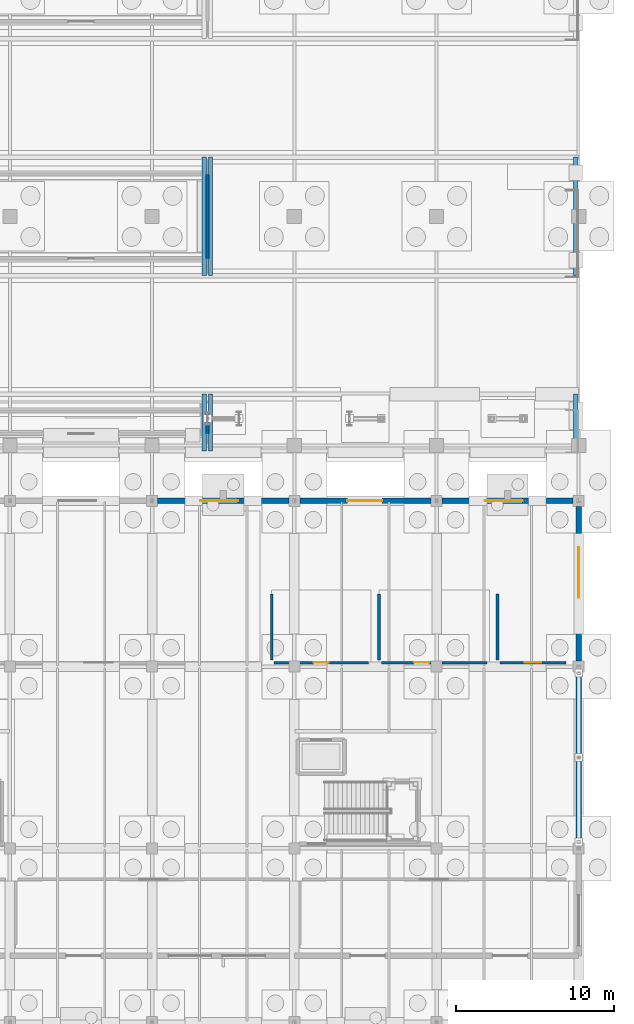
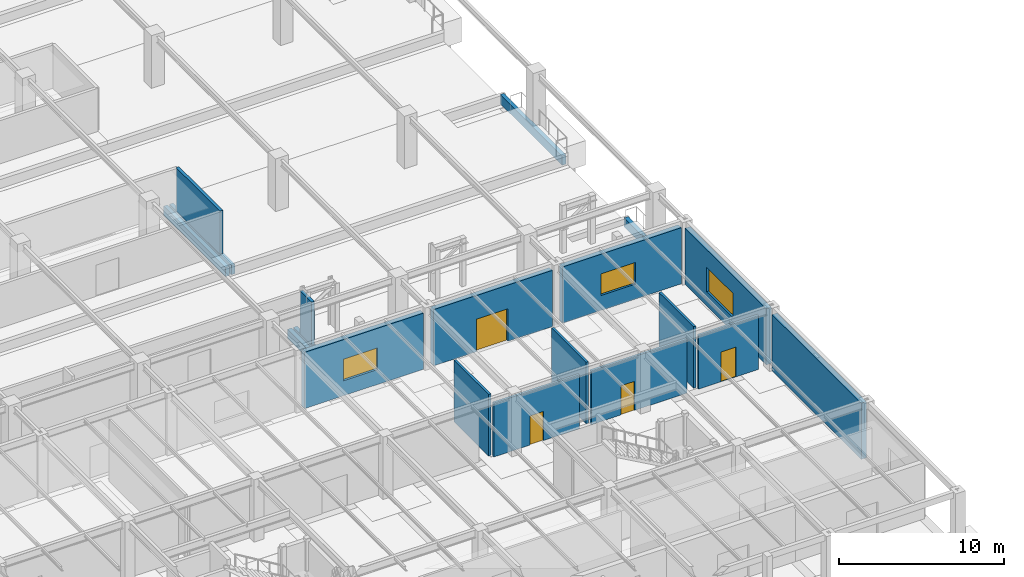
# One storey, part 110 of 160: 19 walls, 4 doors, 3 windows, 7 openings.
"""IFC4 building model written with IfcOpenShell, lengths in metres."""

from ifc_helpers import new_model, si_unit, direction, frame, frame_2d, origin, place, context, subcontext, project, spatial, rectangle, extrude, material, layer, layer_set, type_object, element, fill, save


model = new_model("IFC4")

# Units and contexts
model_context = context("Model", 3, precision=1e-05, world=origin(), true_north=direction((0.0, 1.0)))
body_context = subcontext(model_context, "Body", "Model", "MODEL_VIEW")
ifc_project = project(units=[si_unit("LENGTHUNIT", "METRE"), si_unit("AREAUNIT", "SQUARE_METRE"), si_unit("VOLUMEUNIT", "CUBIC_METRE"), si_unit("PLANEANGLEUNIT", "RADIAN"), si_unit("MASSUNIT", "GRAM", prefix="KILO")], contexts=[model_context])

# Site, building, storey
site_placement = place(None, origin())
site = spatial("IfcSite", under=ifc_project, at=site_placement, CompositionType="ELEMENT")
building_placement = place(site_placement, origin())
building = spatial("IfcBuilding", under=site, at=building_placement, Name="Marlcrest Central Station", CompositionType="ELEMENT")
storey_placement = place(building_placement, origin())
storey = spatial("IfcBuildingStorey", under=building, at=storey_placement, Name="L00", CompositionType="ELEMENT", Elevation=0.0)

# Wall, opening, window
ifc_material_1 = material(Name="St. Thomas limestone on Concrete C40/50", Category="masonry")
ifc_layer_1 = layer(ifc_material_1, 0.360107421875, Name="EW-06")
ifc_layer_set_1 = layer_set([ifc_layer_1], Name="St. Thomas limestone on Concrete C40/50")
wall_type_1 = type_object("IfcWallType", Name="EW-06", PredefinedType="SOLIDWALL", material=ifc_layer_set_1)
wall_1_placement = place(storey_placement, frame((189.35009765625, 33.0, 0.0), z_axis=(0.0, 0.0, 1.0), x_axis=(1.0, 0.0, 0.0)))
wall_1 = element("IfcWall", 1, at=wall_1_placement, inside=storey, type_object=wall_type_1, Name="ewall-L00-0048", PredefinedType="SOLIDWALL", context=body_context, shape_type="SweptSolid", body=[
    extrude(rectangle(XDim=8.2998046875, YDim=0.360107421875, at=frame_2d((4.14990234375, 0.0))), origin(), (0.0, 0.0, 1.0), 4.14990234375),
])
opening_1_placement = place(wall_1_placement, frame((2.699951171875, 0.0, 1.10009765625)))
opening_1 = element("IfcOpeningElement", 2, at=opening_1_placement, cuts=wall_1, Name="Opening WN-02", PredefinedType="OPENING", context=body_context, shape_type="SweptSolid", body=[
    extrude(rectangle(XDim=2.39990234375, YDim=1.60009765625, at=frame_2d((1.199951171875, 0.800048828125))), frame((0.0, 0.18994140625, 0.0), z_axis=(0.0, -1.0, 0.0), x_axis=(1.0, 0.0, 0.0)), (0.0, 0.0, 1.0), 0.380126953125),
])
ifc_material_2 = material(Name="Thermally broken bronze-anodised aluminium and laminated low-E glass", Category="aluminium")
window_type_1 = type_object("IfcWindowType", Name="WN-02", PartitioningType="SINGLE_PANEL", PredefinedType="WINDOW", material=ifc_material_2)
window_1_placement = place(opening_1_placement, origin())
window_1 = element("IfcWindow", 3, at=window_1_placement, inside=storey, type_object=window_type_1, Name="ewin-L00-0017", OverallHeight=1.60009765625, OverallWidth=2.39990234375, PartitioningType="SINGLE_PANEL", PredefinedType="WINDOW", context=body_context, shape_type="SweptSolid", body=[
    extrude(rectangle(XDim=2.39990234375, YDim=1.60009765625, at=frame_2d((1.199951171875, 0.800048828125))), frame((0.0, 0.030029296875, 0.0), z_axis=(0.0, -1.0, 0.0), x_axis=(1.0, 0.0, 0.0)), (0.0, 0.0, 1.0), 0.06005859375),
])
fill(opening_1, window_1)

# Wall, opening, door
wall_2_placement = place(storey_placement, frame((198.35009765625, 33.0, 0.0), z_axis=(0.0, 0.0, 1.0), x_axis=(1.0, 0.0, 0.0)))
wall_2 = element("IfcWall", 4, at=wall_2_placement, inside=storey, type_object=wall_type_1, Name="ewall-L00-0050", PredefinedType="SOLIDWALL", context=body_context, shape_type="SweptSolid", body=[
    extrude(rectangle(XDim=8.2998046875, YDim=0.360107421875, at=frame_2d((4.14990234375, 0.0))), origin(), (0.0, 0.0, 1.0), 4.14990234375),
])
opening_2_placement = place(wall_2_placement, frame((3.0, 0.0, 0.0)))
opening_2 = element("IfcOpeningElement", 5, at=opening_2_placement, cuts=wall_2, Name="Opening ED-01", PredefinedType="OPENING", context=body_context, shape_type="SweptSolid", body=[
    extrude(rectangle(XDim=2.199951171875, YDim=2.39990234375, at=frame_2d((1.10009765625, 1.199951171875))), frame((0.0, 0.18994140625, 0.0), z_axis=(0.0, -1.0, 0.0), x_axis=(1.0, 0.0, 0.0)), (0.0, 0.0, 1.0), 0.380126953125),
])
ifc_material_3 = material(Name="Thermally broken anodised aluminium and laminated safety glass", Category="aluminium")
door_type_1 = type_object("IfcDoorType", Name="ED-01", OperationType="DOUBLE_DOOR_SINGLE_SWING", PredefinedType="DOOR", material=ifc_material_3)
door_1_placement = place(opening_2_placement, origin())
door_1 = element("IfcDoor", 6, at=door_1_placement, inside=storey, type_object=door_type_1, Name="Retail Wing Stair Discharge Exit Door 026", OperationType="DOUBLE_DOOR_SINGLE_SWING", OverallHeight=2.39990234375, OverallWidth=2.199951171875, PredefinedType="DOOR", context=body_context, shape_type="SweptSolid", body=[
    extrude(rectangle(XDim=2.199951171875, YDim=2.39990234375, at=frame_2d((1.10009765625, 1.199951171875))), frame((0.0, 0.02490234375, 0.0), z_axis=(0.0, -1.0, 0.0), x_axis=(1.0, 0.0, 0.0)), (0.0, 0.0, 1.0), 0.050048828125),
])
fill(opening_2, door_1)

# Wall, opening, window
wall_3_placement = place(storey_placement, frame((207.35009765625, 33.0, 0.0), z_axis=(0.0, 0.0, 1.0), x_axis=(1.0, 0.0, 0.0)))
wall_3 = element("IfcWall", 7, at=wall_3_placement, inside=storey, type_object=wall_type_1, Name="ewall-L00-0052", PredefinedType="SOLIDWALL", context=body_context, shape_type="SweptSolid", body=[
    extrude(rectangle(XDim=8.2998046875, YDim=0.360107421875, at=frame_2d((4.14990234375, 0.0))), origin(), (0.0, 0.0, 1.0), 4.14990234375),
])
opening_3_placement = place(wall_3_placement, frame((2.699951171875, 0.0, 1.10009765625)))
opening_3 = element("IfcOpeningElement", 8, at=opening_3_placement, cuts=wall_3, Name="Opening WN-02", PredefinedType="OPENING", context=body_context, shape_type="SweptSolid", body=[
    extrude(rectangle(XDim=2.39990234375, YDim=1.60009765625, at=frame_2d((1.199951171875, 0.800048828125))), frame((0.0, 0.18994140625, 0.0), z_axis=(0.0, -1.0, 0.0), x_axis=(1.0, 0.0, 0.0)), (0.0, 0.0, 1.0), 0.380126953125),
])
window_2_placement = place(opening_3_placement, origin())
window_2 = element("IfcWindow", 9, at=window_2_placement, inside=storey, type_object=window_type_1, Name="ewin-L00-0018", OverallHeight=1.60009765625, OverallWidth=2.39990234375, PartitioningType="SINGLE_PANEL", PredefinedType="WINDOW", context=body_context, shape_type="SweptSolid", body=[
    extrude(rectangle(XDim=2.39990234375, YDim=1.60009765625, at=frame_2d((1.199951171875, 0.800048828125))), frame((0.0, 0.030029296875, 0.0), z_axis=(0.0, -1.0, 0.0), x_axis=(1.0, 0.0, 0.0)), (0.0, 0.0, 1.0), 0.06005859375),
])
fill(opening_3, window_2)

# Wall
wall_4_placement = place(storey_placement, frame((216.0, 22.14990234375, 0.0), z_axis=(0.0, 0.0, 1.0), x_axis=(0.0, -1.0, 0.0)))
element("IfcWall", 10, at=wall_4_placement, inside=storey, type_object=wall_type_1, Name="ewall-L00-0056", PredefinedType="SOLIDWALL", context=body_context, shape_type="SweptSolid", body=[
    extrude(rectangle(XDim=10.7998046875, YDim=0.360107421875, at=frame_2d((5.39990234375, 0.0))), origin(), (0.0, 0.0, 1.0), 4.14990234375),
])

# Wall, opening, window
wall_5_placement = place(storey_placement, frame((216.0, 32.64990234375, 0.0), z_axis=(0.0, 0.0, 1.0), x_axis=(0.0, -1.0, 0.0)))
wall_5 = element("IfcWall", 11, at=wall_5_placement, inside=storey, type_object=wall_type_1, Name="ewall-L00-0058", PredefinedType="SOLIDWALL", context=body_context, shape_type="SweptSolid", body=[
    extrude(rectangle(XDim=9.7998046875, YDim=0.360107421875, at=frame_2d((4.89990234375, 0.0))), origin(), (0.0, 0.0, 1.0), 4.14990234375),
])
opening_4_placement = place(wall_5_placement, frame((2.60009765625, 0.0, 1.050048828125)))
opening_4 = element("IfcOpeningElement", 12, at=opening_4_placement, cuts=wall_5, Name="Opening WN-07", PredefinedType="OPENING", context=body_context, shape_type="SweptSolid", body=[
    extrude(rectangle(XDim=3.199951171875, YDim=1.800048828125, at=frame_2d((1.60009765625, 0.89990234375))), frame((0.0, 0.18994140625, 0.0), z_axis=(0.0, -1.0, 0.0), x_axis=(1.0, 0.0, 0.0)), (0.0, 0.0, 1.0), 0.380126953125),
])
window_type_2 = type_object("IfcWindowType", Name="WN-07", PartitioningType="SINGLE_PANEL", PredefinedType="WINDOW", material=ifc_material_2)
window_3_placement = place(opening_4_placement, origin())
window_3 = element("IfcWindow", 13, at=window_3_placement, inside=storey, type_object=window_type_2, Name="ewin-L00-0021", OverallHeight=1.800048828125, OverallWidth=3.199951171875, PartitioningType="SINGLE_PANEL", PredefinedType="WINDOW", context=body_context, shape_type="SweptSolid", body=[
    extrude(rectangle(XDim=3.199951171875, YDim=1.800048828125, at=frame_2d((1.60009765625, 0.89990234375))), frame((0.0, 0.030029296875, 0.0), z_axis=(0.0, -1.0, 0.0), x_axis=(1.0, 0.0, 0.0)), (0.0, 0.0, 1.0), 0.06005859375),
])
fill(opening_4, window_3)

# Walls
ifc_material_4 = material(Name="Concrete C35/45", Category="concrete")
ifc_layer_2 = layer(ifc_material_4, 0.2099609375, Name="EW-08")
ifc_layer_set_2 = layer_set([ifc_layer_2], Name="Concrete C35/45")
wall_type_2 = type_object("IfcWallType", Name="EW-08", PredefinedType="SOLIDWALL", material=ifc_layer_set_2)
wall_6_placement = place(storey_placement, frame((192.5, 38.64990234375, 0.9150390625), z_axis=(0.0, 0.0, 1.0), x_axis=(0.0, -1.0, 0.0)))
element("IfcWall", 14, at=wall_6_placement, inside=storey, type_object=wall_type_2, Name="ewall-L00-0220", PredefinedType="SOLIDWALL", context=body_context, shape_type="SweptSolid", body=[
    extrude(rectangle(XDim=1.39990234375, YDim=0.2099609375, at=frame_2d((0.699951171875, 0.0))), origin(), (0.0, 0.0, 1.0), 3.18505859375),
])
wall_7_placement = place(storey_placement, frame((192.5, 53.64990234375, 0.9150390625), z_axis=(0.0, 0.0, 1.0), x_axis=(0.0, -1.0, 0.0)))
element("IfcWall", 15, at=wall_7_placement, inside=storey, type_object=wall_type_2, Name="ewall-L00-0226", PredefinedType="SOLIDWALL", context=body_context, shape_type="SweptSolid", body=[
    extrude(rectangle(XDim=5.2998046875, YDim=0.2099609375, at=frame_2d((2.64990234375, 0.0))), origin(), (0.0, 0.0, 1.0), 3.18505859375),
])

# Wall, opening, door
ifc_material_5 = material(Name="Moisture-resistant tiled sanitary partition")
ifc_layer_3 = layer(ifc_material_5, 0.159912109375, Name="PT-03")
ifc_layer_set_3 = layer_set([ifc_layer_3], Name="Moisture-resistant tiled sanitary partition")
wall_type_3 = type_object("IfcWallType", Name="PT-03", PredefinedType="PARTITIONING", material=ifc_layer_set_3)
wall_8_placement = place(storey_placement, frame((202.68994140625, 22.760009765625, 0.0), z_axis=(0.0, 0.0, 1.0), x_axis=(-1.0, 0.0, 0.0)))
wall_8 = element("IfcWall", 16, at=wall_8_placement, inside=storey, type_object=wall_type_3, Name="iwall-L00-00046", PredefinedType="PARTITIONING", context=body_context, shape_type="SweptSolid", body=[
    extrude(rectangle(XDim=5.97998046875, YDim=0.159912109375, at=frame_2d((2.989990234375, 0.0))), origin(), (0.0, 0.0, 1.0), 3.97509765625),
])
opening_5_placement = place(wall_8_placement, frame((2.514892578125, 0.0, 0.0)))
opening_5 = element("IfcOpeningElement", 17, at=opening_5_placement, cuts=wall_8, Name="Opening ID-01", PredefinedType="OPENING", context=body_context, shape_type="SweptSolid", body=[
    extrude(rectangle(XDim=0.949951171875, YDim=2.14990234375, at=frame_2d((0.47509765625, 1.074951171875))), frame((0.0, 0.08984375, 0.0), z_axis=(0.0, -1.0, 0.0), x_axis=(1.0, 0.0, 0.0)), (0.0, 0.0, 1.0), 0.179931640625),
])
ifc_material_6 = material(Name="Solid-core hardwood acoustic door", Category="wood")
door_type_2 = type_object("IfcDoorType", Name="ID-01", OperationType="NOTDEFINED", PredefinedType="DOOR", material=ifc_material_6)
door_2_placement = place(opening_5_placement, origin())
door_2 = element("IfcDoor", 18, at=door_2_placement, inside=storey, type_object=door_type_2, Name="L00-WC-E1 0030", OperationType="SINGLE_SWING_LEFT", OverallHeight=2.14990234375, OverallWidth=0.949951171875, PredefinedType="DOOR", context=body_context, shape_type="SweptSolid", body=[
    extrude(rectangle(XDim=0.949951171875, YDim=2.14990234375, at=frame_2d((0.47509765625, 1.074951171875))), frame((0.0, 0.02490234375, 0.0), z_axis=(0.0, -1.0, 0.0), x_axis=(1.0, 0.0, 0.0)), (0.0, 0.0, 1.0), 0.050048828125),
])
fill(opening_5, door_2)

# Wall
wall_9_placement = place(storey_placement, frame((196.56005859375, 22.909912109375, 0.0), z_axis=(0.0, 0.0, 1.0), x_axis=(0.0, 1.0, 0.0)))
element("IfcWall", 19, at=wall_9_placement, inside=storey, type_object=wall_type_3, Name="iwall-L00-00047", PredefinedType="PARTITIONING", context=body_context, shape_type="SweptSolid", body=[
    extrude(rectangle(XDim=4.18017578125, YDim=0.159912109375, at=frame_2d((2.090087890625, 0.0))), origin(), (0.0, 0.0, 1.0), 4.550048828125),
])

# Wall, opening, door
wall_10_placement = place(storey_placement, frame((210.18994140625, 22.760009765625, 0.0), z_axis=(0.0, 0.0, 1.0), x_axis=(-1.0, 0.0, 0.0)))
wall_10 = element("IfcWall", 20, at=wall_10_placement, inside=storey, type_object=wall_type_3, Name="iwall-L00-00048", PredefinedType="PARTITIONING", context=body_context, shape_type="SweptSolid", body=[
    extrude(rectangle(XDim=6.679931640625, YDim=0.159912109375, at=frame_2d((3.33984375, 0.0))), origin(), (0.0, 0.0, 1.0), 3.97509765625),
])
opening_6_placement = place(wall_10_placement, frame((3.657958984375, 0.0, 0.0)))
opening_6 = element("IfcOpeningElement", 21, at=opening_6_placement, cuts=wall_10, Name="Opening ID-01", PredefinedType="OPENING", context=body_context, shape_type="SweptSolid", body=[
    extrude(rectangle(XDim=0.949951171875, YDim=2.14990234375, at=frame_2d((0.47509765625, 1.074951171875))), frame((0.0, 0.08984375, 0.0), z_axis=(0.0, -1.0, 0.0), x_axis=(1.0, 0.0, 0.0)), (0.0, 0.0, 1.0), 0.179931640625),
])
door_3_placement = place(opening_6_placement, origin())
door_3 = element("IfcDoor", 22, at=door_3_placement, inside=storey, type_object=door_type_2, Name="L00-WC-E2 0031", OperationType="SINGLE_SWING_RIGHT", OverallHeight=2.14990234375, OverallWidth=0.949951171875, PredefinedType="DOOR", context=body_context, shape_type="SweptSolid", body=[
    extrude(rectangle(XDim=0.949951171875, YDim=2.14990234375, at=frame_2d((0.47509765625, 1.074951171875))), frame((0.0, 0.02490234375, 0.0), z_axis=(0.0, -1.0, 0.0), x_axis=(1.0, 0.0, 0.0)), (0.0, 0.0, 1.0), 0.050048828125),
])
fill(opening_6, door_3)

# Wall
wall_11_placement = place(storey_placement, frame((203.360107421875, 22.909912109375, 0.0), z_axis=(0.0, 0.0, 1.0), x_axis=(0.0, 1.0, 0.0)))
element("IfcWall", 23, at=wall_11_placement, inside=storey, type_object=wall_type_3, Name="iwall-L00-00049", PredefinedType="PARTITIONING", context=body_context, shape_type="SweptSolid", body=[
    extrude(rectangle(XDim=4.18017578125, YDim=0.159912109375, at=frame_2d((2.090087890625, 0.0))), origin(), (0.0, 0.0, 1.0), 4.550048828125),
])

# Wall, opening, door
wall_12_placement = place(storey_placement, frame((215.18994140625, 22.760009765625, 0.0), z_axis=(0.0, 0.0, 1.0), x_axis=(-1.0, 0.0, 0.0)))
wall_12 = element("IfcWall", 24, at=wall_12_placement, inside=storey, type_object=wall_type_3, Name="iwall-L00-00050", PredefinedType="PARTITIONING", context=body_context, shape_type="SweptSolid", body=[
    extrude(rectangle(XDim=4.179931640625, YDim=0.159912109375, at=frame_2d((2.08984375, 0.0))), origin(), (0.0, 0.0, 1.0), 3.97509765625),
])
opening_7_placement = place(wall_12_placement, frame((1.56494140625, 0.0, 0.0)))
opening_7 = element("IfcOpeningElement", 25, at=opening_7_placement, cuts=wall_12, Name="Opening ID-03", PredefinedType="OPENING", context=body_context, shape_type="SweptSolid", body=[
    extrude(rectangle(XDim=1.050048828125, YDim=2.199951171875, at=frame_2d((0.52490234375, 1.10009765625))), frame((0.0, 0.08984375, 0.0), z_axis=(0.0, -1.0, 0.0), x_axis=(1.0, 0.0, 0.0)), (0.0, 0.0, 1.0), 0.179931640625),
])
ifc_material_7 = material(Name="Accessible sanitary outward-opening door")
door_type_3 = type_object("IfcDoorType", Name="ID-03", OperationType="NOTDEFINED", PredefinedType="DOOR", material=ifc_material_7)
door_4_placement = place(opening_7_placement, origin())
door_4 = element("IfcDoor", 26, at=door_4_placement, inside=storey, type_object=door_type_3, Name="L00-WC-EA 0032", OperationType="SINGLE_SWING_LEFT", OverallHeight=2.199951171875, OverallWidth=1.050048828125, PredefinedType="DOOR", context=body_context, shape_type="SweptSolid", body=[
    extrude(rectangle(XDim=1.050048828125, YDim=2.199951171875, at=frame_2d((0.52490234375, 1.10009765625))), frame((0.0, 0.02490234375, 0.0), z_axis=(0.0, -1.0, 0.0), x_axis=(1.0, 0.0, 0.0)), (0.0, 0.0, 1.0), 0.050048828125),
])
fill(opening_7, door_4)

# Walls
wall_13_placement = place(storey_placement, frame((210.860107421875, 22.909912109375, 0.0), z_axis=(0.0, 0.0, 1.0), x_axis=(0.0, 1.0, 0.0)))
element("IfcWall", 27, at=wall_13_placement, inside=storey, type_object=wall_type_3, Name="iwall-L00-00051", PredefinedType="PARTITIONING", context=body_context, shape_type="SweptSolid", body=[
    extrude(rectangle(XDim=4.18017578125, YDim=0.159912109375, at=frame_2d((2.090087890625, 0.0))), origin(), (0.0, 0.0, 1.0), 4.550048828125),
])
ifc_layer_4 = layer(ifc_material_4, 0.27490234375, Name="PW-01")
ifc_layer_set_4 = layer_set([ifc_layer_4], Name="Concrete C35/45")
wall_type_4 = type_object("IfcWallType", Name="PW-01", PredefinedType="SOLIDWALL", material=ifc_layer_set_4)
for number, where, z_axis, x_axis, name in (
    (28, (192.300048828125, 36.14990234375, 0.0), (0.0, 0.0, 1.0), (0.0, 1.0, 0.0), "swall-L00-0074"),
    (29, (192.699951171875, 36.14990234375, 0.0), (0.0, 0.0, 1.0), (0.0, 1.0, 0.0), "swall-L00-0075"),
    (30, (215.800048828125, 36.14990234375, 0.0), (0.0, 0.0, 1.0), (0.0, 1.0, 0.0), "swall-L00-0076"),
):
    element("IfcWall", number, at=place(storey_placement, frame(where, z_axis=z_axis, x_axis=x_axis)), inside=storey, type_object=wall_type_4, Name=name, PredefinedType="SOLIDWALL", context=body_context, shape_type="SweptSolid", body=[
        extrude(rectangle(XDim=3.60009765625, YDim=0.27490234375, at=frame_2d((1.800048828125, 0.0))), origin(), (0.0, 0.0, 1.0), 0.675048828125),
    ])
for number, where, z_axis, x_axis, name in (
    (31, (192.300048828125, 47.25, 0.0), (0.0, 0.0, 1.0), (0.0, 1.0, 0.0), "swall-L00-0096"),
    (32, (192.699951171875, 47.25, 0.0), (0.0, 0.0, 1.0), (0.0, 1.0, 0.0), "swall-L00-0097"),
    (33, (215.800048828125, 47.25, 0.0), (0.0, 0.0, 1.0), (0.0, 1.0, 0.0), "swall-L00-0098"),
):
    element("IfcWall", number, at=place(storey_placement, frame(where, z_axis=z_axis, x_axis=x_axis)), inside=storey, type_object=wall_type_4, Name=name, PredefinedType="SOLIDWALL", context=body_context, shape_type="SweptSolid", body=[
        extrude(rectangle(XDim=7.5, YDim=0.27490234375, at=frame_2d((3.75, 0.0))), origin(), (0.0, 0.0, 1.0), 0.675048828125),
    ])

save(model, "model.ifc")
